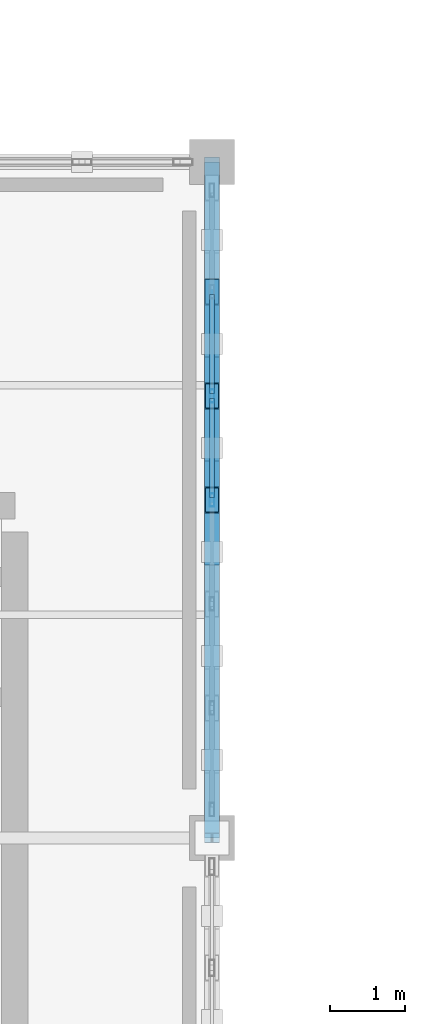
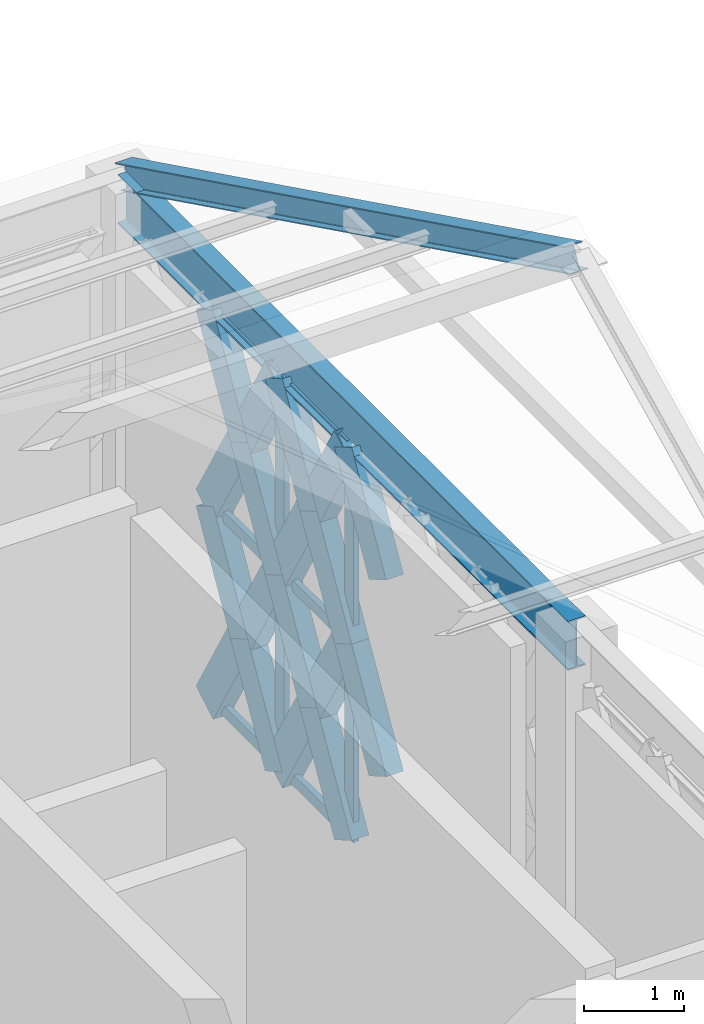
# One storey, part 18 of 32: 23 members, 1 beam, 1 element without a shape of its own.
"""IFC4 building model written with IfcOpenShell, lengths in metres."""

from ifc_helpers import new_model, si_unit, direction, frame, origin, origin_2d, place, context, subcontext, project, spatial, hollow_rectangle, i_section, extrude, material, material_profile, profile_set, type_object, element, aggregate, save


model = new_model("IFC4")

# Units and contexts
model_context = context("Model", 3, precision=1e-05, world=origin(), true_north=direction((0.0, 1.0)))
body_context = subcontext(model_context, "Body", "Model", "MODEL_VIEW")
ifc_project = project(units=[si_unit("LENGTHUNIT", "METRE"), si_unit("AREAUNIT", "SQUARE_METRE"), si_unit("VOLUMEUNIT", "CUBIC_METRE"), si_unit("PLANEANGLEUNIT", "RADIAN"), si_unit("MASSUNIT", "GRAM", prefix="KILO")], contexts=[model_context])

# Site, building, storey
site_placement = place(None, origin())
site = spatial("IfcSite", under=ifc_project, at=site_placement, CompositionType="ELEMENT")
building_placement = place(site_placement, origin())
building = spatial("IfcBuilding", under=site, at=building_placement, Name="Haizhuo Lancet Aquarium", CompositionType="ELEMENT")
storey_placement = place(building_placement, frame((0.0, 0.0, 27.0)))
storey = spatial("IfcBuildingStorey", under=building, at=storey_placement, Name="L05", CompositionType="ELEMENT", Elevation=27.0)

# Beam
ifc_material_1 = material(Name="Steel S355", Category="steel")
ifc_material_profile_1 = material_profile(ifc_material_1, i_section(OverallWidth=0.199951171875, OverallDepth=0.60009765625, WebThickness=0.010986328125, FlangeThickness=0.01708984375, FilletRadius=0.02197265625, at=origin_2d()), Name="HN 600x200x11x17")
ifc_profile_set_1 = profile_set([ifc_material_profile_1], Name="Steel S355")
beam_type = type_object("IfcBeamType", Name="BM-ST-HN600", PredefinedType="BEAM", material=ifc_profile_set_1)
beam_placement = place(storey_placement, frame((-36.0, -18.0, 5.10009765625), z_axis=(0.0, 1.0, 0.0), x_axis=(-1.0, 0.0, 0.0)))
element("IfcBeam", 1, at=beam_placement, inside=storey, type_object=beam_type, Name="L05 V6 primary girder BM-L05-V6-024", PredefinedType="BEAM", context=body_context, shape_type="SweptSolid", body=[
    extrude(i_section(OverallWidth=0.199951171875, OverallDepth=0.60009765625, WebThickness=0.010986328125, FlangeThickness=0.01708984375, FilletRadius=0.02197265625, at=origin_2d()), origin(), (0.0, 0.0, 1.0), 9.0),
])

# Curtain wall, members
ifc_material_2 = material(Name="Aluminium 6063-T6", Category="aluminium")
curtain_wall_type = type_object("IfcCurtainWallType", Name="CWD-8310x4800", PredefinedType="NOTDEFINED", material=ifc_material_2)
curtain_wall_placement = place(storey_placement, origin())
curtain_wall = element("IfcCurtainWall", 2, at=curtain_wall_placement, inside=storey, type_object=curtain_wall_type, Name="L05 curtain wall CW-V6-L05-265", PredefinedType="NOTDEFINED")
ifc_material_profile_2 = material_profile(ifc_material_2, hollow_rectangle(XDim=0.06494140625, YDim=0.179931640625, WallThickness=0.00390625, at=origin_2d()), Name="ALU-M 65x180x4")
ifc_profile_set_2 = profile_set([ifc_material_profile_2], Name="Aluminium 6063-T6")
member_type_1 = type_object("IfcMemberType", Name="CW-MUL-1", PredefinedType="MULLION", material=ifc_profile_set_2)
member_1_placement = place(storey_placement, frame((-36.0, -12.114990234375, 0.0), z_axis=(0.0, 0.0, 1.0), x_axis=(1.0, 0.0, 0.0)))
member_1 = element("IfcMember", 3, at=member_1_placement, type_object=member_type_1, Name="CWD-83x48 mullion 3", PredefinedType="MULLION", context=body_context, shape_type="SweptSolid", body=[
    extrude(hollow_rectangle(XDim=0.06494140625, YDim=0.179931640625, WallThickness=0.00390625, at=origin_2d()), origin(), (0.0, 0.0, 1.0), 4.800048828125),
])
member_2_placement = place(storey_placement, frame((-36.0, -13.5, 0.0), z_axis=(0.0, 0.0, 1.0), x_axis=(1.0, 0.0, 0.0)))
member_2 = element("IfcMember", 4, at=member_2_placement, type_object=member_type_1, Name="CWD-83x48 mullion 4", PredefinedType="MULLION", context=body_context, shape_type="SweptSolid", body=[
    extrude(hollow_rectangle(XDim=0.06494140625, YDim=0.179931640625, WallThickness=0.00390625, at=origin_2d()), origin(), (0.0, 0.0, 1.0), 4.800048828125),
])
ifc_material_profile_3 = material_profile(ifc_material_2, hollow_rectangle(XDim=0.06494140625, YDim=0.139892578125, WallThickness=0.00390625, at=origin_2d()), Name="ALU-T 65x140x4")
ifc_profile_set_3 = profile_set([ifc_material_profile_3], Name="Aluminium 6063-T6")
member_type_2 = type_object("IfcMemberType", Name="CW-TRN-1", PredefinedType="NOTDEFINED", material=ifc_profile_set_3)
member_3_placement = place(storey_placement, frame((-36.0, -10.762939453125, 0.031982421875), z_axis=(0.0, -1.0, 0.0), x_axis=(1.0, 0.0, 0.0)))
member_3 = element("IfcMember", 5, at=member_3_placement, type_object=member_type_2, Name="CWD-83x48 transom 2.1", ObjectType="TRANSOM", PredefinedType="USERDEFINED", context=body_context, shape_type="SweptSolid", body=[
    extrude(hollow_rectangle(XDim=0.06494140625, YDim=0.139892578125, WallThickness=0.00390625, at=origin_2d()), origin(), (0.0, 0.0, 1.0), 1.319091796875),
])
member_4_placement = place(storey_placement, frame((-36.0, -10.762939453125, 2.39990234375), z_axis=(0.0, -1.0, 0.0), x_axis=(1.0, 0.0, 0.0)))
member_4 = element("IfcMember", 6, at=member_4_placement, type_object=member_type_2, Name="CWD-83x48 transom 2.2", ObjectType="TRANSOM", PredefinedType="USERDEFINED", context=body_context, shape_type="SweptSolid", body=[
    extrude(hollow_rectangle(XDim=0.06494140625, YDim=0.139892578125, WallThickness=0.00390625, at=origin_2d()), origin(), (0.0, 0.0, 1.0), 1.319091796875),
])
member_5_placement = place(storey_placement, frame((-36.0, -10.762939453125, 4.76806640625), z_axis=(0.0, -1.0, 0.0), x_axis=(1.0, 0.0, 0.0)))
member_5 = element("IfcMember", 7, at=member_5_placement, type_object=member_type_2, Name="CWD-83x48 transom 2.3", ObjectType="TRANSOM", PredefinedType="USERDEFINED", context=body_context, shape_type="SweptSolid", body=[
    extrude(hollow_rectangle(XDim=0.06494140625, YDim=0.139892578125, WallThickness=0.00390625, at=origin_2d()), origin(), (0.0, 0.0, 1.0), 1.319091796875),
])
member_6_placement = place(storey_placement, frame((-36.0, -12.14794921875, 0.031982421875), z_axis=(0.0, -1.0, 0.0), x_axis=(1.0, 0.0, 0.0)))
member_6 = element("IfcMember", 8, at=member_6_placement, type_object=member_type_2, Name="CWD-83x48 transom 3.1", ObjectType="TRANSOM", PredefinedType="USERDEFINED", context=body_context, shape_type="SweptSolid", body=[
    extrude(hollow_rectangle(XDim=0.06494140625, YDim=0.139892578125, WallThickness=0.00390625, at=origin_2d()), origin(), (0.0, 0.0, 1.0), 1.320068359375),
])
member_7_placement = place(storey_placement, frame((-36.0, -12.14794921875, 2.39990234375), z_axis=(0.0, -1.0, 0.0), x_axis=(1.0, 0.0, 0.0)))
member_7 = element("IfcMember", 9, at=member_7_placement, type_object=member_type_2, Name="CWD-83x48 transom 3.2", ObjectType="TRANSOM", PredefinedType="USERDEFINED", context=body_context, shape_type="SweptSolid", body=[
    extrude(hollow_rectangle(XDim=0.06494140625, YDim=0.139892578125, WallThickness=0.00390625, at=origin_2d()), origin(), (0.0, 0.0, 1.0), 1.320068359375),
])
member_8_placement = place(storey_placement, frame((-36.0, -12.14794921875, 4.76806640625), z_axis=(0.0, -1.0, 0.0), x_axis=(1.0, 0.0, 0.0)))
member_8 = element("IfcMember", 10, at=member_8_placement, type_object=member_type_2, Name="CWD-83x48 transom 3.3", ObjectType="TRANSOM", PredefinedType="USERDEFINED", context=body_context, shape_type="SweptSolid", body=[
    extrude(hollow_rectangle(XDim=0.06494140625, YDim=0.139892578125, WallThickness=0.00390625, at=origin_2d()), origin(), (0.0, 0.0, 1.0), 1.320068359375),
])
aggregate(curtain_wall, [member_1, member_2, member_3, member_4, member_5, member_6, member_7, member_8])

# Members
ifc_material_profile_4 = material_profile(ifc_material_1, hollow_rectangle(XDim=0.199951171875, YDim=0.39990234375, WallThickness=0.011962890625, at=origin_2d()), Name="RHS 200x400x12")
ifc_profile_set_4 = profile_set([ifc_material_profile_4], Name="Steel S355")
member_type_3 = type_object("IfcMemberType", Name="MEM-LB-RHS200x400", PredefinedType="BRACE", material=ifc_profile_set_4)
member_9_placement = place(storey_placement, frame((-36.0, -10.72998046875, 0.0), z_axis=(0.0, -0.499844491261, 0.866115168182), x_axis=(1.0, 0.0, 0.0)))
element("IfcMember", 11, at=member_9_placement, inside=storey, type_object=member_type_3, Name="Gothic lancet continuous diagonal brace CW-V6-L05-265 3A", PredefinedType="BRACE", context=body_context, shape_type="SweptSolid", body=[
    extrude(hollow_rectangle(XDim=0.199951171875, YDim=0.39990234375, WallThickness=0.011962890625, at=origin_2d()), origin(), (0.0, 0.0, 1.0), 2.77099609375),
])
member_10_placement = place(storey_placement, frame((-36.0, -12.114990234375, 0.0), z_axis=(0.0, 0.500042739161, 0.866000726912), x_axis=(-1.0, 0.0, 0.0)))
element("IfcMember", 12, at=member_10_placement, inside=storey, type_object=member_type_3, Name="Gothic lancet split diagonal brace CW-V6-L05-265 3B1", PredefinedType="BRACE", context=body_context, shape_type="SweptSolid", body=[
    extrude(hollow_rectangle(XDim=0.199951171875, YDim=0.39990234375, WallThickness=0.011962890625, at=origin_2d()), origin(), (0.0, 0.0, 1.0), 1.3857421875),
])
member_11_placement = place(storey_placement, frame((-36.0, -11.422119140625, 1.199951171875), z_axis=(0.0, 0.499646164767, 0.866229594296), x_axis=(-1.0, 0.0, 0.0)))
element("IfcMember", 13, at=member_11_placement, inside=storey, type_object=member_type_3, Name="Gothic lancet split diagonal brace CW-V6-L05-265 3B2", PredefinedType="BRACE", context=body_context, shape_type="SweptSolid", body=[
    extrude(hollow_rectangle(XDim=0.199951171875, YDim=0.39990234375, WallThickness=0.011962890625, at=origin_2d()), origin(), (0.0, 0.0, 1.0), 1.38525390625),
])
member_12_placement = place(storey_placement, frame((-36.0, -10.72998046875, 2.39990234375), z_axis=(0.0, -0.499806349121, 0.866137179307), x_axis=(1.0, 0.0, 0.0)))
element("IfcMember", 14, at=member_12_placement, inside=storey, type_object=member_type_3, Name="Gothic lancet continuous diagonal brace CW-V6-L05-265 4A", PredefinedType="BRACE", context=body_context, shape_type="SweptSolid", body=[
    extrude(hollow_rectangle(XDim=0.199951171875, YDim=0.39990234375, WallThickness=0.011962890625, at=origin_2d()), origin(), (0.0, 0.0, 1.0), 2.77099609375),
])
member_13_placement = place(storey_placement, frame((-36.0, -12.114990234375, 2.39990234375), z_axis=(0.0, 0.499966449638, 0.866044773228), x_axis=(-1.0, 0.0, 0.0)))
element("IfcMember", 15, at=member_13_placement, inside=storey, type_object=member_type_3, Name="Gothic lancet split diagonal brace CW-V6-L05-265 4B1", PredefinedType="BRACE", context=body_context, shape_type="SweptSolid", body=[
    extrude(hollow_rectangle(XDim=0.199951171875, YDim=0.39990234375, WallThickness=0.011962890625, at=origin_2d()), origin(), (0.0, 0.0, 1.0), 1.3857421875),
])
member_14_placement = place(storey_placement, frame((-36.0, -11.422119140625, 3.60009765625), z_axis=(0.0, 0.499646164767, 0.866229594296), x_axis=(-1.0, 0.0, 0.0)))
element("IfcMember", 16, at=member_14_placement, inside=storey, type_object=member_type_3, Name="Gothic lancet split diagonal brace CW-V6-L05-265 4B2", PredefinedType="BRACE", context=body_context, shape_type="SweptSolid", body=[
    extrude(hollow_rectangle(XDim=0.199951171875, YDim=0.39990234375, WallThickness=0.011962890625, at=origin_2d()), origin(), (0.0, 0.0, 1.0), 1.38525390625),
])
member_15_placement = place(storey_placement, frame((-36.0, -12.114990234375, 0.0), z_axis=(0.0, -0.499844491261, 0.866115168182), x_axis=(1.0, 0.0, 0.0)))
element("IfcMember", 17, at=member_15_placement, inside=storey, type_object=member_type_3, Name="Gothic lancet continuous diagonal brace CW-V6-L05-265 5A", PredefinedType="BRACE", context=body_context, shape_type="SweptSolid", body=[
    extrude(hollow_rectangle(XDim=0.199951171875, YDim=0.39990234375, WallThickness=0.011962890625, at=origin_2d()), origin(), (0.0, 0.0, 1.0), 2.77099609375),
])
member_16_placement = place(storey_placement, frame((-36.0, -13.5, 0.0), z_axis=(0.0, 0.499513903435, 0.86630586993), x_axis=(-1.0, 0.0, 0.0)))
element("IfcMember", 18, at=member_16_placement, inside=storey, type_object=member_type_3, Name="Gothic lancet split diagonal brace CW-V6-L05-265 5B1", PredefinedType="BRACE", context=body_context, shape_type="SweptSolid", body=[
    extrude(hollow_rectangle(XDim=0.199951171875, YDim=0.39990234375, WallThickness=0.011962890625, at=origin_2d()), origin(), (0.0, 0.0, 1.0), 1.38525390625),
])
member_17_placement = place(storey_placement, frame((-36.0, -12.80810546875, 1.199951171875), z_axis=(0.0, 0.500174860769, 0.865924424332), x_axis=(-1.0, 0.0, 0.0)))
element("IfcMember", 19, at=member_17_placement, inside=storey, type_object=member_type_3, Name="Gothic lancet split diagonal brace CW-V6-L05-265 5B2", PredefinedType="BRACE", context=body_context, shape_type="SweptSolid", body=[
    extrude(hollow_rectangle(XDim=0.199951171875, YDim=0.39990234375, WallThickness=0.011962890625, at=origin_2d()), origin(), (0.0, 0.0, 1.0), 1.3857421875),
])
member_18_placement = place(storey_placement, frame((-36.0, -12.114990234375, 2.39990234375), z_axis=(0.0, -0.499806349121, 0.866137179307), x_axis=(1.0, 0.0, 0.0)))
element("IfcMember", 20, at=member_18_placement, inside=storey, type_object=member_type_3, Name="Gothic lancet continuous diagonal brace CW-V6-L05-265 6A", PredefinedType="BRACE", context=body_context, shape_type="SweptSolid", body=[
    extrude(hollow_rectangle(XDim=0.199951171875, YDim=0.39990234375, WallThickness=0.011962890625, at=origin_2d()), origin(), (0.0, 0.0, 1.0), 2.77099609375),
])
member_19_placement = place(storey_placement, frame((-36.0, -13.5, 2.39990234375), z_axis=(0.0, 0.499437640892, 0.866349838611), x_axis=(-1.0, 0.0, 0.0)))
element("IfcMember", 21, at=member_19_placement, inside=storey, type_object=member_type_3, Name="Gothic lancet split diagonal brace CW-V6-L05-265 6B1", PredefinedType="BRACE", context=body_context, shape_type="SweptSolid", body=[
    extrude(hollow_rectangle(XDim=0.199951171875, YDim=0.39990234375, WallThickness=0.011962890625, at=origin_2d()), origin(), (0.0, 0.0, 1.0), 1.38525390625),
])
member_20_placement = place(storey_placement, frame((-36.0, -12.80810546875, 3.60009765625), z_axis=(0.0, 0.500174860769, 0.865924424332), x_axis=(-1.0, 0.0, 0.0)))
element("IfcMember", 22, at=member_20_placement, inside=storey, type_object=member_type_3, Name="Gothic lancet split diagonal brace CW-V6-L05-265 6B2", PredefinedType="BRACE", context=body_context, shape_type="SweptSolid", body=[
    extrude(hollow_rectangle(XDim=0.199951171875, YDim=0.39990234375, WallThickness=0.011962890625, at=origin_2d()), origin(), (0.0, 0.0, 1.0), 1.3857421875),
])
for number, where, z_axis, x_axis, name in (
    (23, (-36.0, -14.19189453125, 1.199951171875), (0.0, 0.499513903435, 0.86630586993), (-1.0, 0.0, 0.0), "Gothic lancet split diagonal brace CW-V6-L05-265 7B2"),
    (24, (-36.0, -14.19189453125, 3.60009765625), (0.0, 0.499513903435, 0.86630586993), (-1.0, 0.0, 0.0), "Gothic lancet split diagonal brace CW-V6-L05-265 8B2"),
):
    element("IfcMember", number, at=place(storey_placement, frame(where, z_axis=z_axis, x_axis=x_axis)), inside=storey, type_object=member_type_3, Name=name, PredefinedType="BRACE", context=body_context, shape_type="SweptSolid", body=[
        extrude(hollow_rectangle(XDim=0.199951171875, YDim=0.39990234375, WallThickness=0.011962890625, at=origin_2d()), origin(), (0.0, 0.0, 1.0), 1.38525390625),
    ])
ifc_material_profile_5 = material_profile(ifc_material_1, i_section(OverallWidth=0.199951171875, OverallDepth=0.2939453125, WebThickness=0.008056640625, FlangeThickness=0.011962890625, FilletRadius=0.01611328125, at=origin_2d()), Name="HM 294x200x8x12")
ifc_profile_set_5 = profile_set([ifc_material_profile_5], Name="Steel S355")
member_type_4 = type_object("IfcMemberType", Name="MEM-RF-HM294", PredefinedType="RAFTER", material=ifc_profile_set_5)
member_21_placement = place(storey_placement, frame((-36.0, -9.0, 5.3701171875), z_axis=(0.0, -0.897010851352, 0.44200852091), x_axis=(1.0, 0.0, 0.0)))
element("IfcMember", 25, at=member_21_placement, inside=storey, type_object=member_type_4, Name="V6 Gothic pitched roof north rafter 5", PredefinedType="RAFTER", context=body_context, shape_type="SweptSolid", body=[
    extrude(i_section(OverallWidth=0.199951171875, OverallDepth=0.2939453125, WebThickness=0.008056640625, FlangeThickness=0.011962890625, FilletRadius=0.01611328125, at=origin_2d()), origin(), (0.0, 0.0, 1.0), 10.033203125),
])

save(model, "model.ifc")
